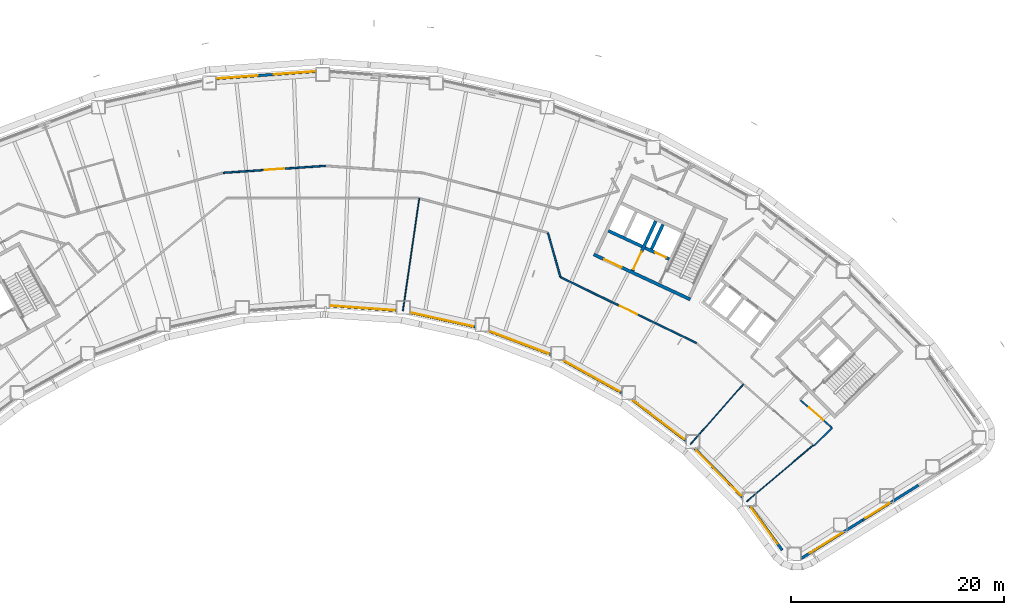
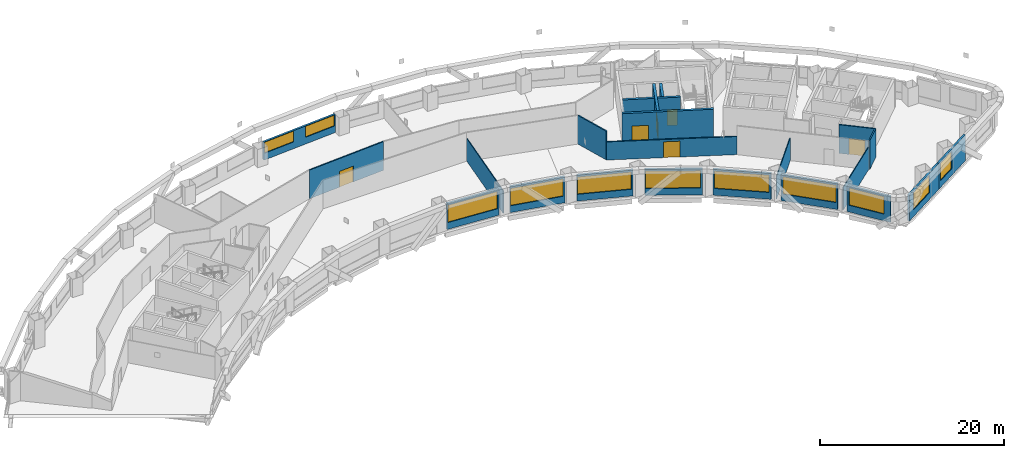
# One storey, part 5 of 19: 23 walls, 11 windows, 6 doors, 17 openings.
"""IFC4 building model written with IfcOpenShell, lengths in metres."""

from ifc_helpers import new_model, si_unit, direction, frame, frame_2d, origin, place, context, subcontext, project, spatial, rectangle, extrude, material, layer, layer_set, type_object, element, fill, save


model = new_model("IFC4")

# Units and contexts
model_context = context("Model", 3, precision=1e-05, world=origin(), true_north=direction((0.0, 1.0)))
body_context = subcontext(model_context, "Body", "Model", "MODEL_VIEW")
ifc_project = project(units=[si_unit("LENGTHUNIT", "METRE"), si_unit("AREAUNIT", "SQUARE_METRE"), si_unit("VOLUMEUNIT", "CUBIC_METRE"), si_unit("PLANEANGLEUNIT", "RADIAN"), si_unit("MASSUNIT", "GRAM", prefix="KILO")], contexts=[model_context])

# Site, building, storey
site_placement = place(None, origin())
site = spatial("IfcSite", under=ifc_project, at=site_placement, CompositionType="ELEMENT")
building_placement = place(site_placement, origin())
building = spatial("IfcBuilding", under=site, at=building_placement, Name="Tuul Gate Civic Tower", CompositionType="ELEMENT")
storey_placement = place(building_placement, frame((0.0, 0.0, 56.699951171875)))
storey = spatial("IfcBuildingStorey", under=building, at=storey_placement, Name="Level 12", CompositionType="ELEMENT", Elevation=56.699951171875)

# Wall, opening, door
ifc_material_1 = material(Name="Concrete C50/60", Category="concrete")
ifc_layer_1 = layer(ifc_material_1, 0.300048828125)
ifc_layer_set_1 = layer_set([ifc_layer_1], Name="Concrete C50/60")
wall_type_1 = type_object("IfcWallType", Name="Core wall C50/60", PredefinedType="SHEAR", material=ifc_layer_set_1)
wall_1_placement = place(storey_placement, frame((34.5283203125, -7.25, 0.0), z_axis=(0.0, 0.0, 1.0), x_axis=(-0.906310338845, 0.422612789327, 0.0)))
wall_1 = element("IfcWall", 1, at=wall_1_placement, inside=storey, type_object=wall_type_1, Name="Core wall", PredefinedType="SHEAR", context=body_context, shape_type="SweptSolid", body=[
    extrude(rectangle(XDim=9.999755859375, YDim=0.300048828125, at=frame_2d((5.0, 0.0))), origin(), (0.0, 0.0, 1.0), 3.800048828125),
])
opening_1_placement = place(wall_1_placement, frame((7.125, 0.0, 0.0)))
opening_1 = element("IfcOpeningElement", 2, at=opening_1_placement, cuts=wall_1, Name="Opening LB-E3-LOBBY-1", PredefinedType="OPENING", context=body_context, shape_type="SweptSolid", body=[
    extrude(rectangle(XDim=1.800048828125, YDim=2.10009765625, at=frame_2d((0.89990234375, 1.050048828125))), frame((0.0, 0.16015625, 0.0), z_axis=(0.0, -1.0, 0.0), x_axis=(1.0, 0.0, 0.0)), (0.0, 0.0, 1.0), 0.320068359375),
])
ifc_material_2 = material(Name="Steel", Category="steel")
door_type_1 = type_object("IfcDoorType", Name="Lobby door", OperationType="DOUBLE_DOOR_SINGLE_SWING", PredefinedType="DOOR", material=ifc_material_2)
door_1_placement = place(opening_1_placement, frame((1.800048828125, 0.0, 0.0), z_axis=(0.0, 0.0, 1.0), x_axis=(-1.0, 0.0, 0.0)))
door_1 = element("IfcDoor", 3, at=door_1_placement, inside=storey, type_object=door_type_1, Name="Lobby door E3-LOBBY", OperationType="DOUBLE_DOOR_SINGLE_SWING", OverallHeight=2.10009765625, OverallWidth=1.800048828125, PredefinedType="DOOR", context=body_context, shape_type="SweptSolid", body=[
    extrude(rectangle(XDim=1.800048828125, YDim=2.10009765625, at=frame_2d((0.900146484375, 1.050048828125))), frame((0.0, 0.02490234375, 0.0), z_axis=(0.0, -1.0, 0.0), x_axis=(1.0, 0.0, 0.0)), (0.0, 0.0, 1.0), 0.050048828125),
])
fill(opening_1, door_1)

wall_2_placement = place(storey_placement, frame((32.545654296875, -3.456787109375, 0.0), z_axis=(0.0, 0.0, 1.0), x_axis=(-0.906300357825, 0.42263419337, 0.0)))
wall_2 = element("IfcWall", 4, at=wall_2_placement, inside=storey, type_object=wall_type_1, Name="Core wall", PredefinedType="SHEAR", context=body_context, shape_type="SweptSolid", body=[
    extrude(rectangle(XDim=2.500244140625, YDim=0.300048828125, at=frame_2d((1.25, 0.0))), origin(), (0.0, 0.0, 1.0), 3.800048828125),
])
opening_2_placement = place(wall_2_placement, frame((0.324951171875, 0.0, 0.0)))
opening_2 = element("IfcOpeningElement", 5, at=opening_2_placement, cuts=wall_2, Name="Opening LD-FF-2", PredefinedType="OPENING", context=body_context, shape_type="SweptSolid", body=[
    extrude(rectangle(XDim=1.10009765625, YDim=2.10009765625, at=frame_2d((0.550048828125, 1.050048828125))), frame((0.0, 0.16015625, 0.0), z_axis=(0.0, -1.0, 0.0), x_axis=(1.0, 0.0, 0.0)), (0.0, 0.0, 1.0), 0.320068359375),
])
ifc_material_3 = material(Name="Stainless steel", Category="steel")
door_type_2 = type_object("IfcDoorType", Name="Landing door", OperationType="DOUBLE_DOOR_SLIDING", PredefinedType="DOOR", material=ifc_material_3)
door_2_placement = place(opening_2_placement, origin())
door_2 = element("IfcDoor", 6, at=door_2_placement, inside=storey, type_object=door_type_2, Name="Fire-fighting lift FF-2 landing door", OperationType="DOUBLE_DOOR_SLIDING", OverallHeight=2.10009765625, OverallWidth=1.10009765625, PredefinedType="DOOR", context=body_context, shape_type="SweptSolid", body=[
    extrude(rectangle(XDim=1.10009765625, YDim=2.10009765625, at=frame_2d((0.550048828125, 1.050048828125))), frame((0.0, 0.02490234375, 0.0), z_axis=(0.0, -1.0, 0.0), x_axis=(1.0, 0.0, 0.0)), (0.0, 0.0, 1.0), 0.050048828125),
])
fill(opening_2, door_2)

# Walls
wall_3_placement = place(storey_placement, frame((30.0078125, -2.2734375, 0.0), z_axis=(0.0, 0.0, 1.0), x_axis=(-0.90630071767, 0.422633421716, 0.0)))
element("IfcWall", 7, at=wall_3_placement, inside=storey, type_object=wall_type_1, Name="Core wall", PredefinedType="SHEAR", context=body_context, shape_type="SweptSolid", body=[
    extrude(rectangle(XDim=3.5, YDim=0.300048828125, at=frame_2d((1.75, 0.0))), origin(), (0.0, 0.0, 1.0), 3.800048828125),
])
wall_4_placement = place(storey_placement, frame((30.886962890625, -2.517822265625, 0.0), z_axis=(0.0, 0.0, 1.0), x_axis=(0.422612891016, 0.906310291427, 0.0)))
element("IfcWall", 8, at=wall_4_placement, inside=storey, type_object=wall_type_1, Name="Core wall", PredefinedType="SHEAR", context=body_context, shape_type="SweptSolid", body=[
    extrude(rectangle(XDim=2.550048828125, YDim=0.300048828125, at=frame_2d((1.27490234375, 0.0))), origin(), (0.0, 0.0, 1.0), 3.800048828125),
])

# Wall, opening, door
wall_5_placement = place(storey_placement, frame((29.108642578125, -4.557373046875, 0.0), z_axis=(0.0, 0.0, 1.0), x_axis=(0.422566235356, 0.90633204552, 0.0)))
wall_5 = element("IfcWall", 9, at=wall_5_placement, inside=storey, type_object=wall_type_1, Name="Core wall", PredefinedType="SHEAR", context=body_context, shape_type="SweptSolid", body=[
    extrude(rectangle(XDim=5.150146484375, YDim=0.300048828125, at=frame_2d((2.5751953125, 0.0))), origin(), (0.0, 0.0, 1.0), 3.800048828125),
])
opening_3_placement = place(wall_5_placement, frame((0.175048828125, 0.0, 0.0)))
opening_3 = element("IfcOpeningElement", 10, at=opening_3_placement, cuts=wall_5, Name="Opening LB-E3-FLOBBY-1", PredefinedType="OPENING", context=body_context, shape_type="SweptSolid", body=[
    extrude(rectangle(XDim=1.800048828125, YDim=2.10009765625, at=frame_2d((0.89990234375, 1.050048828125))), frame((0.0, 0.16015625, 0.0), z_axis=(0.0, -1.0, 0.0), x_axis=(1.0, 0.0, 0.0)), (0.0, 0.0, 1.0), 0.320068359375),
])
door_3_placement = place(opening_3_placement, frame((1.800048828125, 0.0, 0.0), z_axis=(0.0, 0.0, 1.0), x_axis=(-1.0, 0.0, 0.0)))
door_3 = element("IfcDoor", 11, at=door_3_placement, inside=storey, type_object=door_type_1, Name="Lobby door E3-FLOBBY", OperationType="DOUBLE_DOOR_SINGLE_SWING", OverallHeight=2.10009765625, OverallWidth=1.800048828125, PredefinedType="DOOR", context=body_context, shape_type="SweptSolid", body=[
    extrude(rectangle(XDim=1.800048828125, YDim=2.10009765625, at=frame_2d((0.900146484375, 1.050048828125))), frame((0.0, 0.02490234375, 0.0), z_axis=(0.0, -1.0, 0.0), x_axis=(1.0, 0.0, 0.0)), (0.0, 0.0, 1.0), 0.050048828125),
])
fill(opening_3, door_3)

# Wall
ifc_material_4 = material(Name="Gypsum board partition")
ifc_layer_2 = layer(ifc_material_4, 0.14990234375)
ifc_layer_set_2 = layer_set([ifc_layer_2], Name="Gypsum board partition")
wall_type_2 = type_object("IfcWallType", Name="Corridor wall P150", PredefinedType="PARTITIONING", material=ifc_layer_set_2)
wall_6_placement = place(storey_placement, frame((46.14892578125, -21.002197265625, 0.0), z_axis=(0.0, 0.0, 1.0), x_axis=(0.711517671747, 0.702668202491, 0.0)))
element("IfcWall", 12, at=wall_6_placement, inside=storey, type_object=wall_type_2, Name="p003", PredefinedType="PARTITIONING", context=body_context, shape_type="SweptSolid", body=[
    extrude(rectangle(XDim=2.400146484375, YDim=0.14990234375, at=frame_2d((1.2001953125, 0.0))), origin(), (0.0, 0.0, 1.0), 3.800048828125),
])

# Wall, opening, door
wall_7_placement = place(storey_placement, frame((44.847412109375, -16.690185546875, 0.0), z_axis=(0.0, 0.0, 1.0), x_axis=(0.753522663516, -0.657421931158, 0.0)))
wall_7 = element("IfcWall", 13, at=wall_7_placement, inside=storey, type_object=wall_type_2, Name="p005", PredefinedType="PARTITIONING", context=body_context, shape_type="SweptSolid", body=[
    extrude(rectangle(XDim=3.99365234375, YDim=0.14990234375, at=frame_2d((1.996826171875, 0.0))), origin(), (0.0, 0.0, 1.0), 3.800048828125),
])
opening_4_placement = place(wall_7_placement, frame((1.0966796875, 0.0, 0.0)))
opening_4 = element("IfcOpeningElement", 14, at=opening_4_placement, cuts=wall_7, Name="Opening C-D01", PredefinedType="OPENING", context=body_context, shape_type="SweptSolid", body=[
    extrude(rectangle(XDim=1.800048828125, YDim=2.10009765625, at=frame_2d((0.89990234375, 1.050048828125))), frame((0.0, 0.0849609375, 0.0), z_axis=(0.0, -1.0, 0.0), x_axis=(1.0, 0.0, 0.0)), (0.0, 0.0, 1.0), 0.169921875),
])
ifc_material_5 = material(Name="Timber door leaf, double", Category="wood")
door_type_3 = type_object("IfcDoorType", Name="Door D18", OperationType="DOUBLE_DOOR_SINGLE_SWING", PredefinedType="DOOR", material=ifc_material_5)
door_4_placement = place(opening_4_placement, origin())
door_4 = element("IfcDoor", 15, at=door_4_placement, inside=storey, type_object=door_type_3, Name="Door C-D01", OperationType="DOUBLE_DOOR_SINGLE_SWING", OverallHeight=2.10009765625, OverallWidth=1.800048828125, PredefinedType="DOOR", context=body_context, shape_type="SweptSolid", body=[
    extrude(rectangle(XDim=1.800048828125, YDim=2.10009765625, at=frame_2d((0.89990234375, 1.050048828125))), frame((0.0, 0.02490234375, 0.0), z_axis=(0.0, -1.0, 0.0), x_axis=(1.0, 0.0, 0.0)), (0.0, 0.0, 1.0), 0.050048828125),
])
fill(opening_4, door_4)

wall_8_placement = place(storey_placement, frame((-9.3662109375, 4.64794921875, 0.0), z_axis=(0.0, 0.0, 1.0), x_axis=(0.997684510336, 0.068011894806, 0.0)))
wall_8 = element("IfcWall", 16, at=wall_8_placement, inside=storey, type_object=wall_type_2, Name="p031", PredefinedType="PARTITIONING", context=body_context, shape_type="SweptSolid", body=[
    extrude(rectangle(XDim=9.670654296875, YDim=0.14990234375, at=frame_2d((4.83544921875, 0.0))), origin(), (0.0, 0.0, 1.0), 3.800048828125),
])
opening_5_placement = place(wall_8_placement, frame((3.935302734375, 0.0, 0.0)))
opening_5 = element("IfcOpeningElement", 17, at=opening_5_placement, cuts=wall_8, Name="Opening C-D03", PredefinedType="OPENING", context=body_context, shape_type="SweptSolid", body=[
    extrude(rectangle(XDim=1.800048828125, YDim=2.10009765625, at=frame_2d((0.89990234375, 1.050048828125))), frame((0.0, 0.0849609375, 0.0), z_axis=(0.0, -1.0, 0.0), x_axis=(1.0, 0.0, 0.0)), (0.0, 0.0, 1.0), 0.169921875),
])
door_5_placement = place(opening_5_placement, origin())
door_5 = element("IfcDoor", 18, at=door_5_placement, inside=storey, type_object=door_type_3, Name="Door C-D03", OperationType="DOUBLE_DOOR_SINGLE_SWING", OverallHeight=2.10009765625, OverallWidth=1.800048828125, PredefinedType="DOOR", context=body_context, shape_type="SweptSolid", body=[
    extrude(rectangle(XDim=1.800048828125, YDim=2.10009765625, at=frame_2d((0.89990234375, 1.050048828125))), frame((0.0, 0.02490234375, 0.0), z_axis=(0.0, -1.0, 0.0), x_axis=(1.0, 0.0, 0.0)), (0.0, 0.0, 1.0), 0.050048828125),
])
fill(opening_5, door_5)

# Wall
wall_9_placement = place(storey_placement, frame((21.154541015625, -0.98486328125, 0.0), z_axis=(0.0, 0.0, 1.0), x_axis=(0.270353602307, -0.962761096908, 0.0)))
element("IfcWall", 19, at=wall_9_placement, inside=storey, type_object=wall_type_2, Name="p044", PredefinedType="PARTITIONING", context=body_context, shape_type="SweptSolid", body=[
    extrude(rectangle(XDim=4.3291015625, YDim=0.14990234375, at=frame_2d((2.16455078125, 0.0))), origin(), (0.0, 0.0, 1.0), 3.800048828125),
])

# Wall, opening, door
ifc_material_6 = material(Name="Gypsum board partition")
ifc_layer_3 = layer(ifc_material_6, 0.14990234375)
ifc_layer_set_3 = layer_set([ifc_layer_3], Name="Gypsum board partition")
wall_type_3 = type_object("IfcWallType", Name="Corridor wall P150 2400 HIGH", PredefinedType="PARTITIONING", material=ifc_layer_set_3)
wall_10_placement = place(storey_placement, frame((22.325927734375, -5.154296875, 0.0), z_axis=(0.0, 0.0, 1.0), x_axis=(0.899983010457, -0.435924971627, 0.0)))
wall_10 = element("IfcWall", 20, at=wall_10_placement, inside=storey, type_object=wall_type_3, Name="p045", PredefinedType="PARTITIONING", context=body_context, shape_type="SweptSolid", body=[
    extrude(rectangle(XDim=14.197265625, YDim=0.14990234375, at=frame_2d((7.0986328125, 0.0))), origin(), (0.0, 0.0, 1.0), 2.400146484375),
])
opening_6_placement = place(wall_10_placement, frame((6.198486328125, 0.0, 0.0)))
opening_6 = element("IfcOpeningElement", 21, at=opening_6_placement, cuts=wall_10, Name="Opening C-D07", PredefinedType="OPENING", context=body_context, shape_type="SweptSolid", body=[
    extrude(rectangle(XDim=1.800048828125, YDim=2.10009765625, at=frame_2d((0.89990234375, 1.050048828125))), frame((0.0, 0.0849609375, 0.0), z_axis=(0.0, -1.0, 0.0), x_axis=(1.0, 0.0, 0.0)), (0.0, 0.0, 1.0), 0.169921875),
])
door_6_placement = place(opening_6_placement, frame((1.800048828125, 0.0, 0.0), z_axis=(0.0, 0.0, 1.0), x_axis=(-1.0, 0.0, 0.0)))
door_6 = element("IfcDoor", 22, at=door_6_placement, inside=storey, type_object=door_type_3, Name="Door C-D07", OperationType="DOUBLE_DOOR_SINGLE_SWING", OverallHeight=2.10009765625, OverallWidth=1.800048828125, PredefinedType="DOOR", context=body_context, shape_type="SweptSolid", body=[
    extrude(rectangle(XDim=1.800048828125, YDim=2.10009765625, at=frame_2d((0.900146484375, 1.050048828125))), frame((0.0, 0.02490234375, 0.0), z_axis=(0.0, -1.0, 0.0), x_axis=(1.0, 0.0, 0.0)), (0.0, 0.0, 1.0), 0.050048828125),
])
fill(opening_6, door_6)

# Wall, opening, window
ifc_material_7 = material(Name="Precast concrete C40/50", Category="concrete")
ifc_layer_4 = layer(ifc_material_7, 0.25)
ifc_layer_set_4 = layer_set([ifc_layer_4], Name="Precast concrete C40/50")
wall_type_4 = type_object("IfcWallType", Name="External wall", PredefinedType="STANDARD", material=ifc_layer_set_4)
wall_11_placement = place(storey_placement, frame((0.64990234375, -7.830810546875, 0.0), z_axis=(0.0, 0.0, 1.0), x_axis=(0.997395047269, -0.072132653374, 0.0)))
wall_11 = element("IfcWall", 23, at=wall_11_placement, inside=storey, type_object=wall_type_4, Name="External wall", PredefinedType="STANDARD", context=body_context, shape_type="SweptSolid", body=[
    extrude(rectangle(XDim=6.28857421875, YDim=0.25, at=frame_2d((3.144287109375, 0.0))), origin(), (0.0, 0.0, 1.0), 3.449951171875),
])
opening_7_placement = place(wall_11_placement, frame((0.12060546875, 0.0, 0.89990234375)))
opening_7 = element("IfcOpeningElement", 24, at=opening_7_placement, cuts=wall_11, Name="Opening W26", PredefinedType="OPENING", context=body_context, shape_type="SweptSolid", body=[
    extrude(rectangle(XDim=6.0, YDim=2.300048828125, at=frame_2d((3.0, 1.14990234375))), frame((0.0, 0.135009765625, 0.0), z_axis=(0.0, -1.0, 0.0), x_axis=(1.0, 0.0, 0.0)), (0.0, 0.0, 1.0), 0.27001953125),
])
ifc_material_8 = material(Name="Glass", Category="glass")
window_type_1 = type_object("IfcWindowType", Name="Window W26 6000 x 2300", PartitioningType="SINGLE_PANEL", PredefinedType="WINDOW", material=ifc_material_8)
window_1_placement = place(opening_7_placement, origin())
window_1 = element("IfcWindow", 25, at=window_1_placement, inside=storey, type_object=window_type_1, Name="Window", OverallHeight=2.300048828125, OverallWidth=6.0, PartitioningType="SINGLE_PANEL", PredefinedType="WINDOW", context=body_context, shape_type="SweptSolid", body=[
    extrude(rectangle(XDim=6.0, YDim=2.300048828125, at=frame_2d((3.0, 1.14990234375))), frame((0.0, 0.030029296875, 0.0), z_axis=(0.0, -1.0, 0.0), x_axis=(1.0, 0.0, 0.0)), (0.0, 0.0, 1.0), 0.06005859375),
])
fill(opening_7, window_1)

wall_12_placement = place(storey_placement, frame((8.221923828125, -8.481689453125, 0.0), z_axis=(0.0, 0.0, 1.0), x_axis=(0.97656633669, -0.215216611915, 0.0)))
wall_12 = element("IfcWall", 26, at=wall_12_placement, inside=storey, type_object=wall_type_4, Name="External wall", PredefinedType="STANDARD", context=body_context, shape_type="SweptSolid", body=[
    extrude(rectangle(XDim=6.2607421875, YDim=0.25, at=frame_2d((3.13037109375, 0.0))), origin(), (0.0, 0.0, 1.0), 3.449951171875),
])
opening_8_placement = place(wall_12_placement, frame((0.05859375, 0.0, 0.89990234375)))
opening_8 = element("IfcOpeningElement", 27, at=opening_8_placement, cuts=wall_12, Name="Opening W26", PredefinedType="OPENING", context=body_context, shape_type="SweptSolid", body=[
    extrude(rectangle(XDim=6.0, YDim=2.300048828125, at=frame_2d((3.0, 1.14990234375))), frame((0.0, 0.135009765625, 0.0), z_axis=(0.0, -1.0, 0.0), x_axis=(1.0, 0.0, 0.0)), (0.0, 0.0, 1.0), 0.27001953125),
])
window_2_placement = place(opening_8_placement, origin())
window_2 = element("IfcWindow", 28, at=window_2_placement, inside=storey, type_object=window_type_1, Name="Window", OverallHeight=2.300048828125, OverallWidth=6.0, PartitioningType="SINGLE_PANEL", PredefinedType="WINDOW", context=body_context, shape_type="SweptSolid", body=[
    extrude(rectangle(XDim=6.0, YDim=2.300048828125, at=frame_2d((3.0, 1.14990234375))), frame((0.0, 0.030029296875, 0.0), z_axis=(0.0, -1.0, 0.0), x_axis=(1.0, 0.0, 0.0)), (0.0, 0.0, 1.0), 0.06005859375),
])
fill(opening_8, window_2)

wall_13_placement = place(storey_placement, frame((15.635986328125, -10.23291015625, 0.0), z_axis=(0.0, 0.0, 1.0), x_axis=(0.935359836581, -0.353697577193, 0.0)))
wall_13 = element("IfcWall", 29, at=wall_13_placement, inside=storey, type_object=wall_type_4, Name="External wall", PredefinedType="STANDARD", context=body_context, shape_type="SweptSolid", body=[
    extrude(rectangle(XDim=6.201904296875, YDim=0.25, at=frame_2d((3.10107421875, 0.0))), origin(), (0.0, 0.0, 1.0), 3.449951171875),
])
opening_9_placement = place(wall_13_placement, frame((0.0458984375, 0.0, 0.89990234375)))
opening_9 = element("IfcOpeningElement", 30, at=opening_9_placement, cuts=wall_13, Name="Opening W101", PredefinedType="OPENING", context=body_context, shape_type="SweptSolid", body=[
    extrude(rectangle(XDim=5.949951171875, YDim=2.300048828125, at=frame_2d((2.97509765625, 1.14990234375))), frame((0.0, 0.135009765625, 0.0), z_axis=(0.0, -1.0, 0.0), x_axis=(1.0, 0.0, 0.0)), (0.0, 0.0, 1.0), 0.27001953125),
])
ifc_material_9 = material(Name="Glass", Category="glass")
window_type_2 = type_object("IfcWindowType", Name="Window W101 5950 x 2300", PartitioningType="SINGLE_PANEL", PredefinedType="WINDOW", material=ifc_material_9)
window_3_placement = place(opening_9_placement, origin())
window_3 = element("IfcWindow", 31, at=window_3_placement, inside=storey, type_object=window_type_2, Name="Window", OverallHeight=2.300048828125, OverallWidth=5.949951171875, PartitioningType="SINGLE_PANEL", PredefinedType="WINDOW", context=body_context, shape_type="SweptSolid", body=[
    extrude(rectangle(XDim=5.949951171875, YDim=2.300048828125, at=frame_2d((2.97509765625, 1.14990234375))), frame((0.0, 0.030029296875, 0.0), z_axis=(0.0, -1.0, 0.0), x_axis=(1.0, 0.0, 0.0)), (0.0, 0.0, 1.0), 0.06005859375),
])
fill(opening_9, window_3)

wall_14_placement = place(storey_placement, frame((22.589599609375, -12.97509765625, 0.0), z_axis=(0.0, 0.0, 1.0), x_axis=(0.874630436192, -0.484790264018, 0.0)))
wall_14 = element("IfcWall", 32, at=wall_14_placement, inside=storey, type_object=wall_type_4, Name="External wall", PredefinedType="STANDARD", context=body_context, shape_type="SweptSolid", body=[
    extrude(rectangle(XDim=6.27392578125, YDim=0.25, at=frame_2d((3.136962890625, 0.0))), origin(), (0.0, 0.0, 1.0), 3.449951171875),
])
opening_10_placement = place(wall_14_placement, frame((0.0869140625, 0.0, 0.89990234375)))
opening_10 = element("IfcOpeningElement", 33, at=opening_10_placement, cuts=wall_14, Name="Opening W101", PredefinedType="OPENING", context=body_context, shape_type="SweptSolid", body=[
    extrude(rectangle(XDim=5.949951171875, YDim=2.300048828125, at=frame_2d((2.97509765625, 1.14990234375))), frame((0.0, 0.135009765625, 0.0), z_axis=(0.0, -1.0, 0.0), x_axis=(1.0, 0.0, 0.0)), (0.0, 0.0, 1.0), 0.27001953125),
])
window_4_placement = place(opening_10_placement, origin())
window_4 = element("IfcWindow", 34, at=window_4_placement, inside=storey, type_object=window_type_2, Name="Window", OverallHeight=2.300048828125, OverallWidth=5.949951171875, PartitioningType="SINGLE_PANEL", PredefinedType="WINDOW", context=body_context, shape_type="SweptSolid", body=[
    extrude(rectangle(XDim=5.949951171875, YDim=2.300048828125, at=frame_2d((2.97509765625, 1.14990234375))), frame((0.0, 0.030029296875, 0.0), z_axis=(0.0, -1.0, 0.0), x_axis=(1.0, 0.0, 0.0)), (0.0, 0.0, 1.0), 0.06005859375),
])
fill(opening_10, window_4)

wall_15_placement = place(storey_placement, frame((29.044921875, -16.656005859375, 0.0), z_axis=(0.0, 0.0, 1.0), x_axis=(0.795571471624, -0.605859747416, 0.0)))
wall_15 = element("IfcWall", 35, at=wall_15_placement, inside=storey, type_object=wall_type_4, Name="External wall", PredefinedType="STANDARD", context=body_context, shape_type="SweptSolid", body=[
    extrude(rectangle(XDim=6.375244140625, YDim=0.25, at=frame_2d((3.1875, 0.0))), origin(), (0.0, 0.0, 1.0), 3.449951171875),
])
opening_11_placement = place(wall_15_placement, frame((0.1484375, 0.0, 0.89990234375)))
opening_11 = element("IfcOpeningElement", 36, at=opening_11_placement, cuts=wall_15, Name="Opening W26", PredefinedType="OPENING", context=body_context, shape_type="SweptSolid", body=[
    extrude(rectangle(XDim=6.0, YDim=2.300048828125, at=frame_2d((3.0, 1.14990234375))), frame((0.0, 0.135009765625, 0.0), z_axis=(0.0, -1.0, 0.0), x_axis=(1.0, 0.0, 0.0)), (0.0, 0.0, 1.0), 0.27001953125),
])
window_5_placement = place(opening_11_placement, origin())
window_5 = element("IfcWindow", 37, at=window_5_placement, inside=storey, type_object=window_type_1, Name="Window", OverallHeight=2.300048828125, OverallWidth=6.0, PartitioningType="SINGLE_PANEL", PredefinedType="WINDOW", context=body_context, shape_type="SweptSolid", body=[
    extrude(rectangle(XDim=6.0, YDim=2.300048828125, at=frame_2d((3.0, 1.14990234375))), frame((0.0, 0.030029296875, 0.0), z_axis=(0.0, -1.0, 0.0), x_axis=(1.0, 0.0, 0.0)), (0.0, 0.0, 1.0), 0.06005859375),
])
fill(opening_11, window_5)

wall_16_placement = place(storey_placement, frame((34.948974609375, -21.2548828125, 0.0), z_axis=(0.0, 0.0, 1.0), x_axis=(0.699998211198, -0.714144596227, 0.0)))
wall_16 = element("IfcWall", 38, at=wall_16_placement, inside=storey, type_object=wall_type_4, Name="External wall", PredefinedType="STANDARD", context=body_context, shape_type="SweptSolid", body=[
    extrude(rectangle(XDim=6.40283203125, YDim=0.25, at=frame_2d((3.201416015625, 0.0))), origin(), (0.0, 0.0, 1.0), 3.449951171875),
])
opening_12_placement = place(wall_16_placement, frame((0.203857421875, 0.0, 0.89990234375)))
opening_12 = element("IfcOpeningElement", 39, at=opening_12_placement, cuts=wall_16, Name="Opening W26", PredefinedType="OPENING", context=body_context, shape_type="SweptSolid", body=[
    extrude(rectangle(XDim=6.0, YDim=2.300048828125, at=frame_2d((3.0, 1.14990234375))), frame((0.0, 0.135009765625, 0.0), z_axis=(0.0, -1.0, 0.0), x_axis=(1.0, 0.0, 0.0)), (0.0, 0.0, 1.0), 0.27001953125),
])
window_6_placement = place(opening_12_placement, origin())
window_6 = element("IfcWindow", 40, at=window_6_placement, inside=storey, type_object=window_type_1, Name="Window", OverallHeight=2.300048828125, OverallWidth=6.0, PartitioningType="SINGLE_PANEL", PredefinedType="WINDOW", context=body_context, shape_type="SweptSolid", body=[
    extrude(rectangle(XDim=6.0, YDim=2.300048828125, at=frame_2d((3.0, 1.14990234375))), frame((0.0, 0.030029296875, 0.0), z_axis=(0.0, -1.0, 0.0), x_axis=(1.0, 0.0, 0.0)), (0.0, 0.0, 1.0), 0.06005859375),
])
fill(opening_12, window_6)

wall_17_placement = place(storey_placement, frame((40.1533203125, -26.676025390625, 0.0), z_axis=(0.0, 0.0, 1.0), x_axis=(0.589712900291, -0.807612961282, 0.0)))
wall_17 = element("IfcWall", 41, at=wall_17_placement, inside=storey, type_object=wall_type_4, Name="External wall", PredefinedType="STANDARD", context=body_context, shape_type="SweptSolid", body=[
    extrude(rectangle(XDim=5.120361328125, YDim=0.25, at=frame_2d((2.56005859375, 0.0))), origin(), (0.0, 0.0, 1.0), 3.449951171875),
])
opening_13_placement = place(wall_17_placement, frame((0.218017578125, 0.0, 0.89990234375)))
opening_13 = element("IfcOpeningElement", 42, at=opening_13_placement, cuts=wall_17, Name="Opening W25", PredefinedType="OPENING", context=body_context, shape_type="SweptSolid", body=[
    extrude(rectangle(XDim=4.14990234375, YDim=2.300048828125, at=frame_2d((2.074951171875, 1.14990234375))), frame((0.0, 0.135009765625, 0.0), z_axis=(0.0, -1.0, 0.0), x_axis=(1.0, 0.0, 0.0)), (0.0, 0.0, 1.0), 0.27001953125),
])
ifc_material_10 = material(Name="Glass", Category="glass")
window_type_3 = type_object("IfcWindowType", Name="Window W25 4150 x 2300", PartitioningType="SINGLE_PANEL", PredefinedType="WINDOW", material=ifc_material_10)
window_7_placement = place(opening_13_placement, origin())
window_7 = element("IfcWindow", 43, at=window_7_placement, inside=storey, type_object=window_type_3, Name="Window", OverallHeight=2.300048828125, OverallWidth=4.14990234375, PartitioningType="SINGLE_PANEL", PredefinedType="WINDOW", context=body_context, shape_type="SweptSolid", body=[
    extrude(rectangle(XDim=4.14990234375, YDim=2.300048828125, at=frame_2d((2.074951171875, 1.14990234375))), frame((0.0, 0.030029296875, 0.0), z_axis=(0.0, -1.0, 0.0), x_axis=(1.0, 0.0, 0.0)), (0.0, 0.0, 1.0), 0.06005859375),
])
fill(opening_13, window_7)

wall_18_placement = place(storey_placement, frame((44.950927734375, -31.5869140625, 0.0), z_axis=(0.0, 0.0, 1.0), x_axis=(0.848068815002, 0.529886105707, 0.0)))
wall_18 = element("IfcWall", 44, at=wall_18_placement, inside=storey, type_object=wall_type_4, Name="External wall", PredefinedType="STANDARD", context=body_context, shape_type="SweptSolid", body=[
    extrude(rectangle(XDim=6.807373046875, YDim=0.25, at=frame_2d((3.40380859375, 0.0))), origin(), (0.0, 0.0, 1.0), 3.449951171875),
])
opening_14_placement = place(wall_18_placement, frame((0.943115234375, 0.0, 0.89990234375)))
opening_14 = element("IfcOpeningElement", 45, at=opening_14_placement, cuts=wall_18, Name="Opening W21", PredefinedType="OPENING", context=body_context, shape_type="SweptSolid", body=[
    extrude(rectangle(XDim=3.699951171875, YDim=2.300048828125, at=frame_2d((1.85009765625, 1.14990234375))), frame((0.0, 0.135009765625, 0.0), z_axis=(0.0, -1.0, 0.0), x_axis=(1.0, 0.0, 0.0)), (0.0, 0.0, 1.0), 0.27001953125),
])
ifc_material_11 = material(Name="Glass", Category="glass")
window_type_4 = type_object("IfcWindowType", Name="Window W21 3700 x 2300", PartitioningType="SINGLE_PANEL", PredefinedType="WINDOW", material=ifc_material_11)
window_8_placement = place(opening_14_placement, origin())
window_8 = element("IfcWindow", 46, at=window_8_placement, inside=storey, type_object=window_type_4, Name="Window", OverallHeight=2.300048828125, OverallWidth=3.699951171875, PartitioningType="SINGLE_PANEL", PredefinedType="WINDOW", context=body_context, shape_type="SweptSolid", body=[
    extrude(rectangle(XDim=3.699951171875, YDim=2.300048828125, at=frame_2d((1.85009765625, 1.14990234375))), frame((0.0, 0.030029296875, 0.0), z_axis=(0.0, -1.0, 0.0), x_axis=(1.0, 0.0, 0.0)), (0.0, 0.0, 1.0), 0.06005859375),
])
fill(opening_14, window_8)

wall_19_placement = place(storey_placement, frame((50.72412109375, -27.979736328125, 0.0), z_axis=(0.0, 0.0, 1.0), x_axis=(0.848053758074, 0.529910203164, 0.0)))
wall_19 = element("IfcWall", 47, at=wall_19_placement, inside=storey, type_object=wall_type_4, Name="External wall", PredefinedType="STANDARD", context=body_context, shape_type="SweptSolid", body=[
    extrude(rectangle(XDim=6.182861328125, YDim=0.25, at=frame_2d((3.09130859375, 0.0))), origin(), (0.0, 0.0, 1.0), 3.449951171875),
])
opening_15_placement = place(wall_19_placement, frame((0.3330078125, 0.0, 0.89990234375)))
opening_15 = element("IfcOpeningElement", 48, at=opening_15_placement, cuts=wall_19, Name="Opening W37", PredefinedType="OPENING", context=body_context, shape_type="SweptSolid", body=[
    extrude(rectangle(XDim=2.64990234375, YDim=2.300048828125, at=frame_2d((1.324951171875, 1.14990234375))), frame((0.0, 0.135009765625, 0.0), z_axis=(0.0, -1.0, 0.0), x_axis=(1.0, 0.0, 0.0)), (0.0, 0.0, 1.0), 0.27001953125),
])
ifc_material_12 = material(Name="Glass", Category="glass")
window_type_5 = type_object("IfcWindowType", Name="Window 2650 x 2300", PartitioningType="SINGLE_PANEL", PredefinedType="WINDOW", material=ifc_material_12)
window_9_placement = place(opening_15_placement, origin())
window_9 = element("IfcWindow", 49, at=window_9_placement, inside=storey, type_object=window_type_5, Name="Window", OverallHeight=2.300048828125, OverallWidth=2.64990234375, PartitioningType="SINGLE_PANEL", PredefinedType="WINDOW", context=body_context, shape_type="SweptSolid", body=[
    extrude(rectangle(XDim=2.64990234375, YDim=2.300048828125, at=frame_2d((1.324951171875, 1.14990234375))), frame((0.0, 0.030029296875, 0.0), z_axis=(0.0, -1.0, 0.0), x_axis=(1.0, 0.0, 0.0)), (0.0, 0.0, 1.0), 0.06005859375),
])
fill(opening_15, window_9)

# Wall, openings, windows
ifc_material_13 = material(Name="Precast concrete C40/50", Category="concrete")
ifc_layer_5 = layer(ifc_material_13, 0.25)
ifc_layer_set_5 = layer_set([ifc_layer_5], Name="Precast concrete C40/50")
wall_type_5 = type_object("IfcWallType", Name="External wall 2400 HIGH", PredefinedType="STANDARD", material=ifc_layer_set_5)
wall_20_placement = place(storey_placement, frame((-0.64990234375, 14.177490234375, 0.0), z_axis=(0.0, 0.0, 1.0), x_axis=(-0.997388413682, -0.072224318983, 0.0)))
wall_20 = element("IfcWall", 50, at=wall_20_placement, inside=storey, type_object=wall_type_5, Name="External wall", PredefinedType="STANDARD", context=body_context, shape_type="SweptSolid", body=[
    extrude(rectangle(XDim=9.37353515625, YDim=0.25, at=frame_2d((4.686767578125, 0.0))), origin(), (0.0, 0.0, 1.0), 2.400146484375),
])
opening_16_placement = place(wall_20_placement, frame((0.10009765625, 0.0, 0.89990234375)))
opening_16 = element("IfcOpeningElement", 51, at=opening_16_placement, cuts=wall_20, Name="Opening W103", PredefinedType="OPENING", context=body_context, shape_type="SweptSolid", body=[
    extrude(rectangle(XDim=3.85009765625, YDim=1.449951171875, at=frame_2d((1.925048828125, 0.72509765625))), frame((0.0, 0.135009765625, 0.0), z_axis=(0.0, -1.0, 0.0), x_axis=(1.0, 0.0, 0.0)), (0.0, 0.0, 1.0), 0.27001953125),
])
opening_17_placement = place(wall_20_placement, frame((5.470947265625, 0.0, 0.89990234375)))
opening_17 = element("IfcOpeningElement", 52, at=opening_17_placement, cuts=wall_20, Name="Opening W103", PredefinedType="OPENING", context=body_context, shape_type="SweptSolid", body=[
    extrude(rectangle(XDim=3.85009765625, YDim=1.449951171875, at=frame_2d((1.925048828125, 0.72509765625))), frame((0.0, 0.135009765625, 0.0), z_axis=(0.0, -1.0, 0.0), x_axis=(1.0, 0.0, 0.0)), (0.0, 0.0, 1.0), 0.27001953125),
])
ifc_material_14 = material(Name="Glass", Category="glass")
window_type_6 = type_object("IfcWindowType", Name="Window W103 3850 x 1450", PartitioningType="SINGLE_PANEL", PredefinedType="WINDOW", material=ifc_material_14)
window_10_placement = place(opening_16_placement, origin())
window_10 = element("IfcWindow", 53, at=window_10_placement, inside=storey, type_object=window_type_6, Name="Window", OverallHeight=1.449951171875, OverallWidth=3.85009765625, PartitioningType="SINGLE_PANEL", PredefinedType="WINDOW", context=body_context, shape_type="SweptSolid", body=[
    extrude(rectangle(XDim=3.85009765625, YDim=1.449951171875, at=frame_2d((1.925048828125, 0.72509765625))), frame((0.0, 0.030029296875, 0.0), z_axis=(0.0, -1.0, 0.0), x_axis=(1.0, 0.0, 0.0)), (0.0, 0.0, 1.0), 0.06005859375),
])
fill(opening_16, window_10)
window_11_placement = place(opening_17_placement, origin())
window_11 = element("IfcWindow", 54, at=window_11_placement, inside=storey, type_object=window_type_6, Name="Window", OverallHeight=1.449951171875, OverallWidth=3.85009765625, PartitioningType="SINGLE_PANEL", PredefinedType="WINDOW", context=body_context, shape_type="SweptSolid", body=[
    extrude(rectangle(XDim=3.85009765625, YDim=1.449951171875, at=frame_2d((1.925048828125, 0.72509765625))), frame((0.0, 0.030029296875, 0.0), z_axis=(0.0, -1.0, 0.0), x_axis=(1.0, 0.0, 0.0)), (0.0, 0.0, 1.0), 0.06005859375),
])
fill(opening_17, window_11)

# Walls
ifc_material_15 = material(Name="Gypsum board partition")
ifc_layer_6 = layer(ifc_material_15, 0.10009765625)
ifc_layer_set_6 = layer_set([ifc_layer_6], Name="Gypsum board partition")
wall_type_6 = type_object("IfcWallType", Name="Partition P100 3000 HIGH", PredefinedType="PARTITIONING", material=ifc_layer_set_6)
wall_21_placement = place(storey_placement, frame((39.82861328125, -26.239990234375, 0.0), z_axis=(0.0, 0.0, 1.0), x_axis=(0.762826604985, 0.64660310139, 0.0)))
element("IfcWall", 55, at=wall_21_placement, inside=storey, type_object=wall_type_6, Name="p001", PredefinedType="PARTITIONING", context=body_context, shape_type="SweptSolid", body=[
    extrude(rectangle(XDim=8.194580078125, YDim=0.10009765625, at=frame_2d((4.09716796875, 0.0))), origin(), (0.0, 0.0, 1.0), 3.0),
])
wall_22_placement = place(storey_placement, frame((34.547607421875, -20.852783203125, 0.0), z_axis=(0.0, 0.0, 1.0), x_axis=(0.661691382091, 0.749776309886, 0.0)))
element("IfcWall", 56, at=wall_22_placement, inside=storey, type_object=wall_type_6, Name="p041", PredefinedType="PARTITIONING", context=body_context, shape_type="SweptSolid", body=[
    extrude(rectangle(XDim=7.525146484375, YDim=0.10009765625, at=frame_2d((3.7626953125, 0.0))), origin(), (0.0, 0.0, 1.0), 3.0),
])
wall_23_placement = place(storey_placement, frame((7.5244140625, -8.3330078125, 0.0), z_axis=(0.0, 0.0, 1.0), x_axis=(0.14408008354, 0.989566030908, 0.0)))
element("IfcWall", 57, at=wall_23_placement, inside=storey, type_object=wall_type_6, Name="p042", PredefinedType="PARTITIONING", context=body_context, shape_type="SweptSolid", body=[
    extrude(rectangle(XDim=10.69384765625, YDim=0.10009765625, at=frame_2d((5.346923828125, 0.0))), origin(), (0.0, 0.0, 1.0), 3.0),
])

save(model, "model.ifc")
